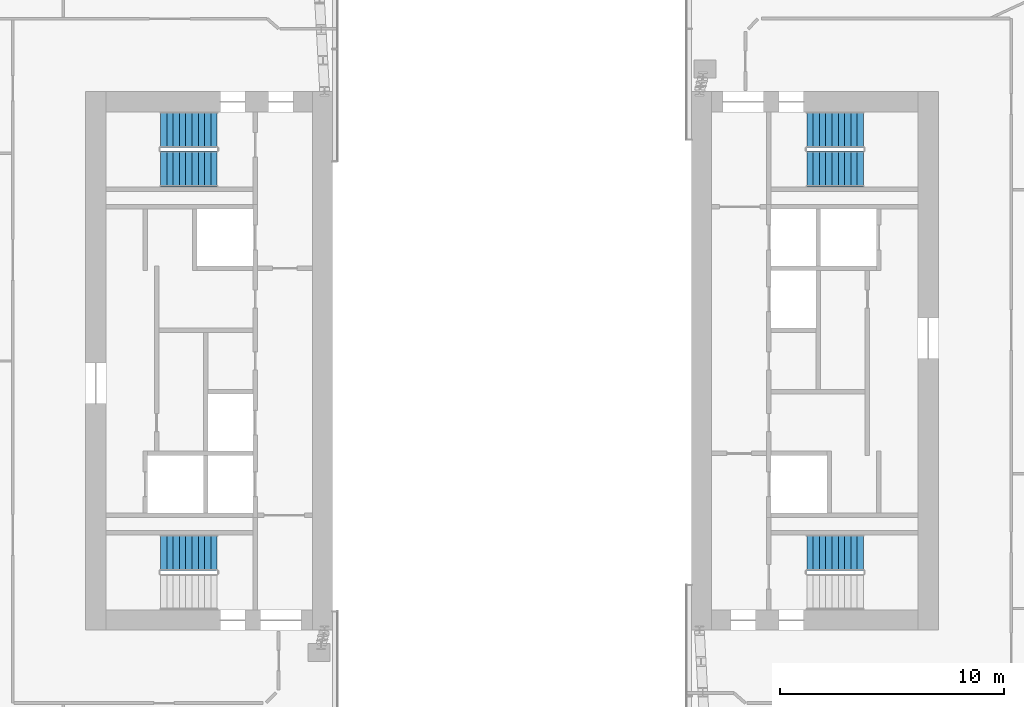
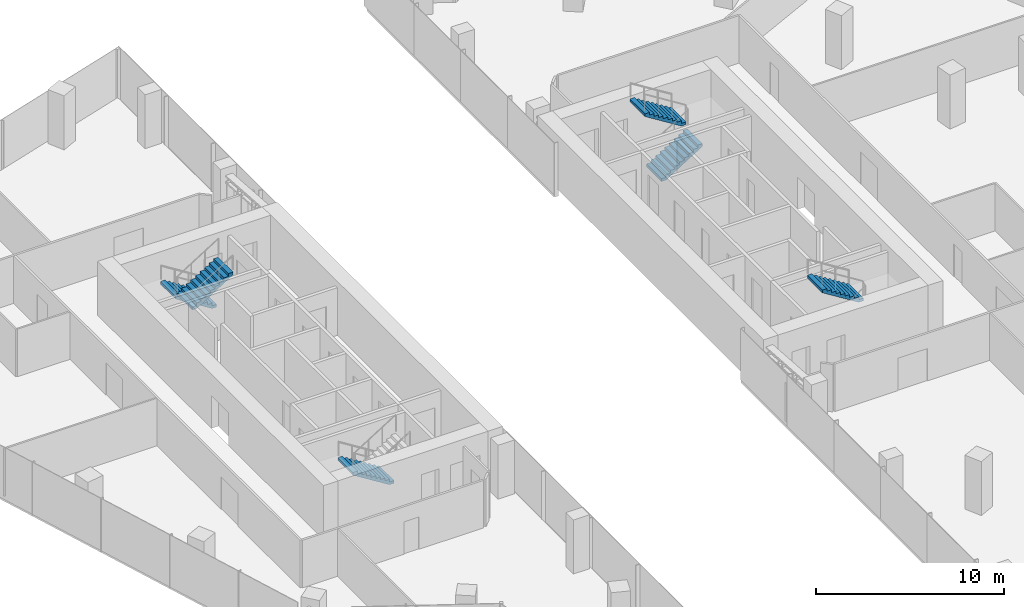
# One storey, part 21 of 23: 6 stair flights, 4 elements without a shape of their own.
"""IFC4 building model written with IfcOpenShell, lengths in metres."""

from ifc_helpers import new_model, si_unit, direction, frame, origin, place, context, subcontext, project, spatial, polyline, outline, extrude, material, type_object, element, aggregate, save


model = new_model("IFC4")

# Units and contexts
model_context = context("Model", 3, precision=1e-05, world=origin(), true_north=direction((0.0, 1.0)))
body_context = subcontext(model_context, "Body", "Model", "MODEL_VIEW")
ifc_project = project(units=[si_unit("LENGTHUNIT", "METRE"), si_unit("AREAUNIT", "SQUARE_METRE"), si_unit("VOLUMEUNIT", "CUBIC_METRE"), si_unit("PLANEANGLEUNIT", "RADIAN"), si_unit("MASSUNIT", "GRAM", prefix="KILO")], contexts=[model_context])

# Site, building, storey
site_placement = place(None, origin())
site = spatial("IfcSite", under=ifc_project, at=site_placement, CompositionType="ELEMENT")
building_placement = place(site_placement, origin())
building = spatial("IfcBuilding", under=site, at=building_placement, Name="Orlundy Tower", CompositionType="ELEMENT")
storey_placement = place(building_placement, frame((0.0, 0.0, 257.0)))
storey = spatial("IfcBuildingStorey", under=building, at=storey_placement, Name="L68", CompositionType="ELEMENT", Elevation=257.0)

# Stair, stair flights
ifc_material_1 = material(Name="Concrete C50/60", Category="concrete")
stair_type = type_object("IfcStairType", Name="Exit Stair 20 risers", PredefinedType="HALF_TURN_STAIR", material=ifc_material_1)
stair_1_placement = place(storey_placement, origin())
stair_1 = element("IfcStair", 1, at=stair_1_placement, inside=storey, type_object=stair_type, Name="L68 Exit Stair ST-W1", PredefinedType="HALF_TURN_STAIR")
ifc_material_2 = material(Name="Concrete C50/60", Category="concrete")
stair_flight_type = type_object("IfcStairFlightType", Name="Stair Flight 10 risers", PredefinedType="STRAIGHT", material=ifc_material_2)
stair_flight_1_placement = place(storey_placement, frame((-13.139892578125, 10.300048828125, 0.0), z_axis=(0.0, 0.0, 1.0), x_axis=(-1.0, 0.0, 0.0)))
stair_flight_1 = element("IfcStairFlight", 2, at=stair_flight_1_placement, type_object=stair_flight_type, Name="ST-W1 flight 1", NumberOfRisers=10, NumberOfTreads=9, PredefinedType="STRAIGHT", RiserHeight=0.175, TreadLength=0.28, context=body_context, shape_type="SweptSolid", body=[
    extrude(outline(polyline([(0.0, 0.0), (0.0, 0.175048828125), (0.280029296875, 0.175048828125), (0.280029296875, 0.35009765625), (0.56005859375, 0.35009765625), (0.56005859375, 0.52490234375), (0.840087890625, 0.52490234375), (0.840087890625, 0.699951171875), (1.1201171875, 0.699951171875), (1.1201171875, 0.875), (1.39990234375, 0.875), (1.39990234375, 1.050048828125), (1.679931640625, 1.050048828125), (1.679931640625, 1.22509765625), (1.9599609375, 1.22509765625), (1.9599609375, 1.39990234375), (2.239990234375, 1.39990234375), (2.239990234375, 1.574951171875), (2.52001953125, 1.574951171875), (2.52001953125, 1.75), (2.52001953125, 1.398193359375), (0.28271484375, 0.0), (0.0, 0.0)])), frame((0.0, 0.800048828125, 0.0), z_axis=(0.0, -1.0, 0.0), x_axis=(1.0, 0.0, 0.0)), (0.0, 0.0, 1.0), 1.60009765625),
])
stair_flight_2_placement = place(storey_placement, frame((-15.659912109375, 8.550048828125, 1.75), z_axis=(0.0, 0.0, 1.0), x_axis=(1.0, 0.0, 0.0)))
stair_flight_2 = element("IfcStairFlight", 3, at=stair_flight_2_placement, type_object=stair_flight_type, Name="ST-W1 flight 2", NumberOfRisers=10, NumberOfTreads=9, PredefinedType="STRAIGHT", RiserHeight=0.175, TreadLength=0.28, context=body_context, shape_type="SweptSolid", body=[
    extrude(outline(polyline([(0.0, 0.0), (0.0, 0.175048828125), (0.280029296875, 0.175048828125), (0.280029296875, 0.35009765625), (0.56005859375, 0.35009765625), (0.56005859375, 0.52490234375), (0.840087890625, 0.52490234375), (0.840087890625, 0.699951171875), (1.1201171875, 0.699951171875), (1.1201171875, 0.875), (1.39990234375, 0.875), (1.39990234375, 1.050048828125), (1.679931640625, 1.050048828125), (1.679931640625, 1.22509765625), (1.9599609375, 1.22509765625), (1.9599609375, 1.39990234375), (2.239990234375, 1.39990234375), (2.239990234375, 1.574951171875), (2.52001953125, 1.574951171875), (2.52001953125, 1.75), (2.52001953125, 1.398193359375), (0.28271484375, 0.0), (0.0, 0.0)])), frame((0.0, 0.800048828125, 0.0), z_axis=(0.0, -1.0, 0.0), x_axis=(1.0, 0.0, 0.0)), (0.0, 0.0, 1.0), 1.60009765625),
])
aggregate(stair_1, [stair_flight_1, stair_flight_2])

# Stair, stair flight
stair_2_placement = place(storey_placement, origin())
stair_2 = element("IfcStair", 4, at=stair_2_placement, inside=storey, type_object=stair_type, Name="L68 Exit Stair ST-W2", PredefinedType="HALF_TURN_STAIR")
stair_flight_3_placement = place(storey_placement, frame((-13.139892578125, -8.550048828125, 0.0), z_axis=(0.0, 0.0, 1.0), x_axis=(-1.0, 0.0, 0.0)))
stair_flight_3 = element("IfcStairFlight", 5, at=stair_flight_3_placement, type_object=stair_flight_type, Name="ST-W2 flight 1", NumberOfRisers=10, NumberOfTreads=9, PredefinedType="STRAIGHT", RiserHeight=0.175, TreadLength=0.28, context=body_context, shape_type="SweptSolid", body=[
    extrude(outline(polyline([(0.0, 0.0), (0.0, 0.175048828125), (0.280029296875, 0.175048828125), (0.280029296875, 0.35009765625), (0.56005859375, 0.35009765625), (0.56005859375, 0.52490234375), (0.840087890625, 0.52490234375), (0.840087890625, 0.699951171875), (1.1201171875, 0.699951171875), (1.1201171875, 0.875), (1.39990234375, 0.875), (1.39990234375, 1.050048828125), (1.679931640625, 1.050048828125), (1.679931640625, 1.22509765625), (1.9599609375, 1.22509765625), (1.9599609375, 1.39990234375), (2.239990234375, 1.39990234375), (2.239990234375, 1.574951171875), (2.52001953125, 1.574951171875), (2.52001953125, 1.75), (2.52001953125, 1.398193359375), (0.28271484375, 0.0), (0.0, 0.0)])), frame((0.0, 0.800048828125, 0.0), z_axis=(0.0, -1.0, 0.0), x_axis=(1.0, 0.0, 0.0)), (0.0, 0.0, 1.0), 1.60009765625),
])
aggregate(stair_2, [stair_flight_3])

stair_3_placement = place(storey_placement, origin())
stair_3 = element("IfcStair", 6, at=stair_3_placement, inside=storey, type_object=stair_type, Name="L68 Exit Stair ST-E1", PredefinedType="HALF_TURN_STAIR")
stair_flight_4_placement = place(storey_placement, frame((15.659912109375, -8.550048828125, 1.75), z_axis=(0.0, 0.0, 1.0), x_axis=(-1.0, 0.0, 0.0)))
stair_flight_4 = element("IfcStairFlight", 7, at=stair_flight_4_placement, type_object=stair_flight_type, Name="ST-E1 flight 2", NumberOfRisers=10, NumberOfTreads=9, PredefinedType="STRAIGHT", RiserHeight=0.175, TreadLength=0.28, context=body_context, shape_type="SweptSolid", body=[
    extrude(outline(polyline([(0.0, 0.0), (0.0, 0.175048828125), (0.280029296875, 0.175048828125), (0.280029296875, 0.35009765625), (0.56005859375, 0.35009765625), (0.56005859375, 0.52490234375), (0.840087890625, 0.52490234375), (0.840087890625, 0.699951171875), (1.1201171875, 0.699951171875), (1.1201171875, 0.875), (1.39990234375, 0.875), (1.39990234375, 1.050048828125), (1.679931640625, 1.050048828125), (1.679931640625, 1.22509765625), (1.9599609375, 1.22509765625), (1.9599609375, 1.39990234375), (2.239990234375, 1.39990234375), (2.239990234375, 1.574951171875), (2.52001953125, 1.574951171875), (2.52001953125, 1.75), (2.52001953125, 1.398193359375), (0.28271484375, 0.0), (0.0, 0.0)])), frame((0.0, 0.800048828125, 0.0), z_axis=(0.0, -1.0, 0.0), x_axis=(1.0, 0.0, 0.0)), (0.0, 0.0, 1.0), 1.60009765625),
])
aggregate(stair_3, [stair_flight_4])

# Stair, stair flights
stair_4_placement = place(storey_placement, origin())
stair_4 = element("IfcStair", 8, at=stair_4_placement, inside=storey, type_object=stair_type, Name="L68 Exit Stair ST-E2", PredefinedType="HALF_TURN_STAIR")
stair_flight_5_placement = place(storey_placement, frame((13.139892578125, 8.550048828125, 0.0), z_axis=(0.0, 0.0, 1.0), x_axis=(1.0, 0.0, 0.0)))
stair_flight_5 = element("IfcStairFlight", 9, at=stair_flight_5_placement, type_object=stair_flight_type, Name="ST-E2 flight 1", NumberOfRisers=10, NumberOfTreads=9, PredefinedType="STRAIGHT", RiserHeight=0.175, TreadLength=0.28, context=body_context, shape_type="SweptSolid", body=[
    extrude(outline(polyline([(0.0, 0.0), (0.0, 0.175048828125), (0.280029296875, 0.175048828125), (0.280029296875, 0.35009765625), (0.56005859375, 0.35009765625), (0.56005859375, 0.52490234375), (0.840087890625, 0.52490234375), (0.840087890625, 0.699951171875), (1.1201171875, 0.699951171875), (1.1201171875, 0.875), (1.39990234375, 0.875), (1.39990234375, 1.050048828125), (1.679931640625, 1.050048828125), (1.679931640625, 1.22509765625), (1.9599609375, 1.22509765625), (1.9599609375, 1.39990234375), (2.239990234375, 1.39990234375), (2.239990234375, 1.574951171875), (2.52001953125, 1.574951171875), (2.52001953125, 1.75), (2.52001953125, 1.398193359375), (0.28271484375, 0.0), (0.0, 0.0)])), frame((0.0, 0.800048828125, 0.0), z_axis=(0.0, -1.0, 0.0), x_axis=(1.0, 0.0, 0.0)), (0.0, 0.0, 1.0), 1.60009765625),
])
stair_flight_6_placement = place(storey_placement, frame((15.659912109375, 10.300048828125, 1.75), z_axis=(0.0, 0.0, 1.0), x_axis=(-1.0, 0.0, 0.0)))
stair_flight_6 = element("IfcStairFlight", 10, at=stair_flight_6_placement, type_object=stair_flight_type, Name="ST-E2 flight 2", NumberOfRisers=10, NumberOfTreads=9, PredefinedType="STRAIGHT", RiserHeight=0.175, TreadLength=0.28, context=body_context, shape_type="SweptSolid", body=[
    extrude(outline(polyline([(0.0, 0.0), (0.0, 0.175048828125), (0.280029296875, 0.175048828125), (0.280029296875, 0.35009765625), (0.56005859375, 0.35009765625), (0.56005859375, 0.52490234375), (0.840087890625, 0.52490234375), (0.840087890625, 0.699951171875), (1.1201171875, 0.699951171875), (1.1201171875, 0.875), (1.39990234375, 0.875), (1.39990234375, 1.050048828125), (1.679931640625, 1.050048828125), (1.679931640625, 1.22509765625), (1.9599609375, 1.22509765625), (1.9599609375, 1.39990234375), (2.239990234375, 1.39990234375), (2.239990234375, 1.574951171875), (2.52001953125, 1.574951171875), (2.52001953125, 1.75), (2.52001953125, 1.398193359375), (0.28271484375, 0.0), (0.0, 0.0)])), frame((0.0, 0.800048828125, 0.0), z_axis=(0.0, -1.0, 0.0), x_axis=(1.0, 0.0, 0.0)), (0.0, 0.0, 1.0), 1.60009765625),
])
aggregate(stair_4, [stair_flight_5, stair_flight_6])

save(model, "model.ifc")
